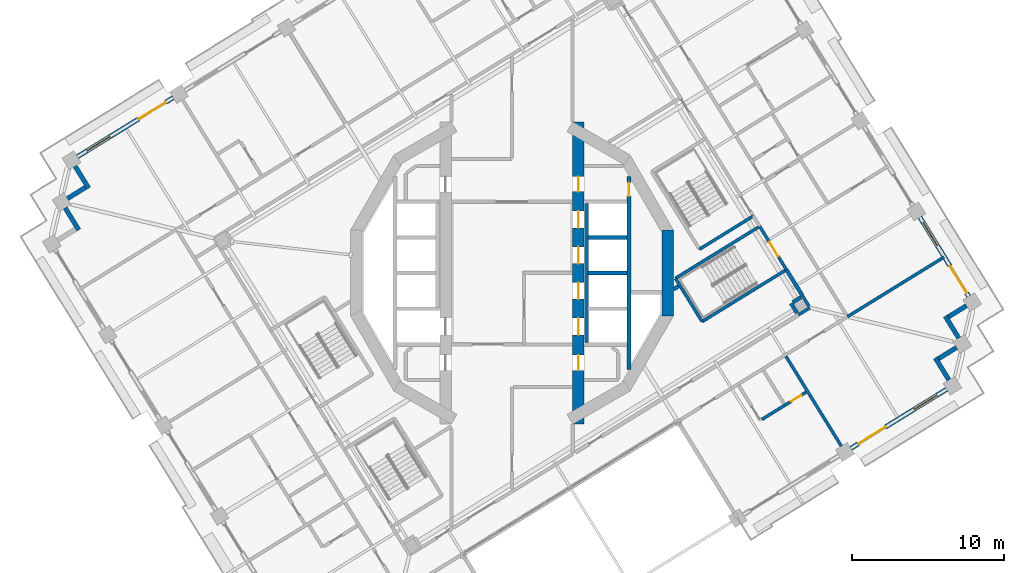
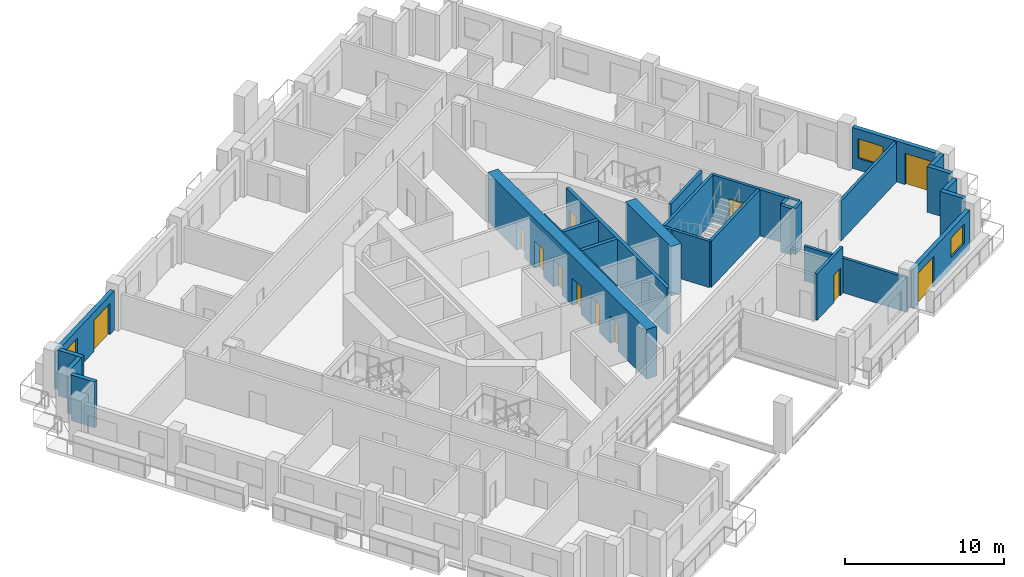
# One storey, part 11 of 22: 30 walls, 12 doors, 3 windows, 15 openings.
"""IFC4 building model written with IfcOpenShell, lengths in metres."""

import ifcopenshell
import ifcopenshell.guid

model = None  # the IFC model being written
_history = None  # IfcOwnerHistory: only IFC2X3 demands one
_inside = {}  # id of a spatial element -> (the spatial element, [elements in it])
_under = {}  # id of a project, library or spatial element -> (it, [spatial elements below it])
_declared = {}  # id of a project -> (the project, [libraries it declares])
_typed = {}  # id of a type object -> (the type object, [elements of that type])
_made_of = {}  # id of a material, layer set ... -> (it, [elements and type objects made of it])


def new_model(schema):
    """Start an empty IFC model of exactly this schema.

    Asked for "IFC4X3", IfcOpenShell would pick the latest addendum, in which some entities
    have other attributes; the version numbers below select the first issue.
    IFC2X3 requires an IfcOwnerHistory on every rooted entity: one is made here for all.
    """
    global model, _history
    if schema == "IFC4X3":
        model = ifcopenshell.file(schema_version=(4, 3, 0, 0))
    else:
        model = ifcopenshell.file(schema=schema)
    _inside.clear()
    _under.clear()
    _declared.clear()
    _typed.clear()
    _made_of.clear()
    _history = None
    if model.schema == "IFC2X3":
        org = make("IfcOrganization", Name="unknown")
        user = make(
            "IfcPersonAndOrganization",
            ThePerson=make("IfcPerson", FamilyName="unknown"),
            TheOrganization=org,
        )
        app = make(
            "IfcApplication",
            ApplicationDeveloper=org,
            Version="unknown",
            ApplicationFullName="unknown",
            ApplicationIdentifier="unknown",
        )
        _history = make(
            "IfcOwnerHistory",
            OwningUser=user,
            OwningApplication=app,
            ChangeAction="ADDED",
            CreationDate=0,
        )
    return model


def make(cls, **values):
    """One entity of the class cls with the attributes given. An attribute that is None is left unset."""
    return model.create_entity(
        cls, **{name: value for name, value in values.items() if value is not None}
    )


def rooted(cls, **values):
    """An entity with a GlobalId (a new one), such as an element, a storey or a relation."""
    return make(cls, GlobalId=ifcopenshell.guid.new(), OwnerHistory=_history, **values)


def si_unit(unit_type, name, prefix=None):
    """IfcSIUnit, for example si_unit("LENGTHUNIT", "METRE", prefix="MILLI")."""
    return make("IfcSIUnit", UnitType=unit_type, Prefix=prefix, Name=name)


def assignment(units):
    """IfcUnitAssignment: the units of a project."""
    return None if units is None else make("IfcUnitAssignment", Units=units)


def point(xyz):
    """IfcCartesianPoint."""
    return None if xyz is None else make("IfcCartesianPoint", Coordinates=xyz)


def direction(xyz):
    """IfcDirection."""
    return None if xyz is None else make("IfcDirection", DirectionRatios=xyz)


def frame(location, z_axis=None, x_axis=None):
    """IfcAxis2Placement3D, a coordinate frame: its origin and axes. An axis left out is left unset."""
    return make(
        "IfcAxis2Placement3D",
        Location=point(location),
        Axis=direction(z_axis),
        RefDirection=direction(x_axis),
    )


def frame_2d(location, x_axis=None):
    """IfcAxis2Placement2D, a coordinate frame in the plane: its origin and x axis."""
    return make(
        "IfcAxis2Placement2D", Location=point(location), RefDirection=direction(x_axis)
    )


def origin():
    """The frame at (0, 0, 0) with its axes left unset."""
    return frame((0.0, 0.0, 0.0))


def place(relative_to, where):
    """IfcLocalPlacement: puts the frame where relative to a parent placement (None: the world)."""
    return make(
        "IfcLocalPlacement", PlacementRelTo=relative_to, RelativePlacement=where
    )


def context(
    kind, dimensions, precision=None, world=None, true_north=None, identifier=None
):
    """IfcGeometricRepresentationContext, for example the 3D "Model" context."""
    return make(
        "IfcGeometricRepresentationContext",
        ContextIdentifier=identifier,
        ContextType=kind,
        CoordinateSpaceDimension=dimensions,
        Precision=precision,
        WorldCoordinateSystem=world,
        TrueNorth=true_north,
    )


def subcontext(parent, identifier, kind, view, scale=None):
    """IfcGeometricRepresentationSubContext, for example "Body" below "Model"."""
    return make(
        "IfcGeometricRepresentationSubContext",
        ContextIdentifier=identifier,
        ContextType=kind,
        ParentContext=parent,
        TargetScale=scale,
        TargetView=view,
    )


def project(units=None, contexts=None):
    """IfcProject with its units and contexts."""
    return rooted(
        "IfcProject",
        Name="project",
        RepresentationContexts=contexts,
        UnitsInContext=assignment(units),
    )


def spatial(cls, under=None, at=None, **own):
    """A site, building, storey or space (cls), placed at a placement, below another one or the project."""
    s = rooted(cls, ObjectPlacement=at, **own)
    if under is not None:
        _under.setdefault(under.id(), (under, []))[1].append(s)
    return s


def profile(cls, at=None, kind="AREA", **sizes):
    """A parametric profile (cls). Its sizes go by their IFC names, for example OverallWidth=200.0."""
    return make(cls, ProfileType=kind, Position=at, **sizes)


def rectangle(**sizes):
    """IfcRectangleProfileDef."""
    return profile("IfcRectangleProfileDef", **sizes)


def extrude(swept, where, along, depth):
    """IfcExtrudedAreaSolid: the profile swept, set in the frame where, extruded along a direction by depth."""
    return make(
        "IfcExtrudedAreaSolid",
        SweptArea=swept,
        Position=where,
        ExtrudedDirection=direction(along),
        Depth=depth,
    )


def shape(context_of_items, identifier, shape_type, items):
    """IfcShapeRepresentation: the items that make up one representation, for example the "Body"."""
    return make(
        "IfcShapeRepresentation",
        ContextOfItems=context_of_items,
        RepresentationIdentifier=identifier,
        RepresentationType=shape_type,
        Items=items,
    )


def material(Name=None, Category=None):
    """IfcMaterial."""
    return make("IfcMaterial", Name=Name, Category=Category)


def layer(
    of_material, thickness, ventilated=None, Name=None, Category=None, Priority=None
):
    """IfcMaterialLayer: one layer of a wall or slab, of a material (None: an air gap)."""
    return make(
        "IfcMaterialLayer",
        Material=of_material,
        LayerThickness=thickness,
        IsVentilated=ventilated,
        Name=Name,
        Category=Category,
        Priority=Priority,
    )


def layer_set(layers, Name=None):
    """IfcMaterialLayerSet."""
    return make("IfcMaterialLayerSet", MaterialLayers=layers, LayerSetName=Name)


def made_of(thing, what):
    """Note that an element or type object is made of a material, layer set ...; save() writes the relation."""
    if what is not None:
        _made_of.setdefault(what.id(), (what, []))[1].append(thing)
    return thing


def type_object(cls, material=None, **own):
    """A type object (cls), such as IfcWallType, which elements share."""
    return made_of(rooted(cls, **own), material)


def element(
    cls,
    number,
    at=None,
    inside=None,
    cuts=None,
    type_object=None,
    material=None,
    context=None,
    identifier="Body",
    shape_type=None,
    held_by="IfcProductDefinitionShape",
    body=None,
    shapes=None,
    **own,
):
    """One element of the class cls, such as IfcWall. Its Tag is "e" and its number.

    at: its placement. inside: the storey or other place that contains it. cuts: it is an
    opening in that element (IfcRelVoidsElement). A single representation is given by context,
    identifier, shape_type and body (its items); several are given by shapes. held_by: the class
    of the entity that holds the representations. save() writes the other relations.
    """
    e = rooted(cls, Tag="e%d" % number, ObjectPlacement=at, **own)
    if body is not None:
        shapes = [shape(context, identifier, shape_type, body)]
    if shapes is not None:
        e.Representation = make(held_by, Representations=shapes)
    if inside is not None:
        _inside.setdefault(inside.id(), (inside, []))[1].append(e)
    if cuts is not None:
        rooted(
            "IfcRelVoidsElement", RelatingBuildingElement=cuts, RelatedOpeningElement=e
        )
    if type_object is not None:
        _typed.setdefault(type_object.id(), (type_object, []))[1].append(e)
    return made_of(e, material)


def fill(opening, filler):
    """IfcRelFillsElement: the door or window that sits in an opening."""
    return rooted(
        "IfcRelFillsElement",
        RelatingOpeningElement=opening,
        RelatedBuildingElement=filler,
    )


def aggregate(whole, parts):
    """IfcRelAggregates: a whole, such as a stair, and the parts it consists of."""
    return rooted("IfcRelAggregates", RelatingObject=whole, RelatedObjects=parts)


def save(model, path):
    """Write the relations noted so far, then the file.

    IfcRelAggregates (storeys below a building ...), IfcRelContainedInSpatialStructure (elements
    in a storey), IfcRelDefinesByType, IfcRelAssociatesMaterial and IfcRelDeclares: one each for
    every whole, place, type object, material and project.
    """
    for whole, parts in _under.values():
        aggregate(whole, parts)
    for where, things in _inside.values():
        rooted(
            "IfcRelContainedInSpatialStructure",
            RelatedElements=things,
            RelatingStructure=where,
        )
    for kind, things in _typed.values():
        rooted("IfcRelDefinesByType", RelatedObjects=things, RelatingType=kind)
    for what, things in _made_of.values():
        rooted("IfcRelAssociatesMaterial", RelatedObjects=things, RelatingMaterial=what)
    for by, libraries in _declared.values():
        rooted("IfcRelDeclares", RelatingContext=by, RelatedDefinitions=libraries)
    model.write(path)


model = new_model("IFC4")

# Units and contexts
model_context = context("Model", 3, precision=1e-05, world=origin(), true_north=direction((0.0, 1.0)))
body_context = subcontext(model_context, "Body", "Model", "MODEL_VIEW")
ifc_project = project(units=[si_unit("LENGTHUNIT", "METRE"), si_unit("AREAUNIT", "SQUARE_METRE"), si_unit("VOLUMEUNIT", "CUBIC_METRE"), si_unit("PLANEANGLEUNIT", "RADIAN"), si_unit("MASSUNIT", "GRAM", prefix="KILO")], contexts=[model_context])

# Site, building, storey
site_placement = place(None, origin())
site = spatial("IfcSite", under=ifc_project, at=site_placement, CompositionType="ELEMENT")
building_placement = place(site_placement, origin())
building = spatial("IfcBuilding", under=site, at=building_placement, Name="Cantera Rosa Tower", CompositionType="ELEMENT")
storey_placement = place(building_placement, frame((0.0, 0.0, 174.199951171875)))
storey = spatial("IfcBuildingStorey", under=building, at=storey_placement, Name="L38", CompositionType="ELEMENT", Elevation=174.199951171875)

# Walls
ifc_material_1 = material(Name="Gypsum board partition")
ifc_layer_1 = layer(ifc_material_1, 0.199951171875)
ifc_layer_set_1 = layer_set([ifc_layer_1], Name="CORRIDOR WALL 200 H3550")
wall_type_1 = type_object("IfcWallType", Name="CORRIDOR WALL 200 H3550", PredefinedType="PARTITIONING", material=ifc_layer_set_1)
wall_1_placement = place(storey_placement, frame((18.874267578125, -2.7509765625, 0.0), z_axis=(0.0, 0.0, 1.0), x_axis=(0.851162606387, 0.524902102766, 0.0)))
element("IfcWall", 1, at=wall_1_placement, inside=storey, type_object=wall_type_1, Name="CORRIDOR WALL L38-124", PredefinedType="PARTITIONING", context=body_context, shape_type="SweptSolid", body=[
    extrude(rectangle(XDim=0.8798828125, YDim=0.199951171875, at=frame_2d((0.43994140625, 0.0))), origin(), (0.0, 0.0, 1.0), 3.550048828125),
])
wall_2_placement = place(storey_placement, frame((19.560302734375, -2.18701171875, 0.0), z_axis=(0.0, 0.0, 1.0), x_axis=(-0.524849917314, 0.851194786342, 0.0)))
element("IfcWall", 2, at=wall_2_placement, inside=storey, type_object=wall_type_1, Name="CORRIDOR WALL L38-129", PredefinedType="PARTITIONING", context=body_context, shape_type="SweptSolid", body=[
    extrude(rectangle(XDim=0.760009765625, YDim=0.199951171875, at=frame_2d((0.3798828125, 0.0))), origin(), (0.0, 0.0, 1.0), 3.550048828125),
])
ifc_material_2 = material(Name="Hollow clay masonry with cantera stone cladding", Category="masonry")
ifc_layer_2 = layer(ifc_material_2, 0.300048828125)
ifc_layer_set_2 = layer_set([ifc_layer_2], Name="EW-LOGGIA 300")
wall_type_2 = type_object("IfcWallType", Name="EW-LOGGIA 300", PredefinedType="SOLIDWALL", material=ifc_layer_set_2)
wall_3_placement = place(storey_placement, frame((-28.7802734375, 7.0390625, 0.0), z_axis=(0.0, 0.0, 1.0), x_axis=(0.524994468487, -0.851105638601, 0.0)))
element("IfcWall", 3, at=wall_3_placement, inside=storey, type_object=wall_type_2, Name="EN-L38-W13a", PredefinedType="SOLIDWALL", context=body_context, shape_type="SweptSolid", body=[
    extrude(rectangle(XDim=1.7001953125, YDim=0.300048828125, at=frame_2d((0.85009765625, 0.0))), origin(), (0.0, 0.0, 1.0), 3.5),
])
wall_4_placement = place(storey_placement, frame((-28.09423828125, 5.64111328125, 0.0), z_axis=(0.0, 0.0, 1.0), x_axis=(-0.851040987269, -0.525099264891, 0.0)))
element("IfcWall", 4, at=wall_4_placement, inside=storey, type_object=wall_type_2, Name="EN-L38-W13b", PredefinedType="SOLIDWALL", context=body_context, shape_type="SweptSolid", body=[
    extrude(rectangle(XDim=1.39990234375, YDim=0.300048828125, at=frame_2d((0.699951171875, 0.0))), origin(), (0.0, 0.0, 1.0), 3.5),
])
for number, where, z_axis, x_axis, name in (
    (5, (-29.4326171875, 4.286865234375, 0.0), (0.0, 0.0, 1.0), (0.524994468487, -0.851105638601, 0.0), "EN-L38-W14a"),
    (6, (28.7802734375, -7.0390625, 0.0), (0.0, 0.0, 1.0), (-0.524994468487, 0.851105638601, 0.0), "EN-L38-W27a"),
):
    element("IfcWall", number, at=place(storey_placement, frame(where, z_axis=z_axis, x_axis=x_axis)), inside=storey, type_object=wall_type_2, Name=name, PredefinedType="SOLIDWALL", context=body_context, shape_type="SweptSolid", body=[
        extrude(rectangle(XDim=1.7001953125, YDim=0.300048828125, at=frame_2d((0.85009765625, 0.0))), origin(), (0.0, 0.0, 1.0), 3.5),
    ])
wall_5_placement = place(storey_placement, frame((28.09423828125, -5.64111328125, 0.0), z_axis=(0.0, 0.0, 1.0), x_axis=(0.851040987269, 0.525099264891, 0.0)))
element("IfcWall", 7, at=wall_5_placement, inside=storey, type_object=wall_type_2, Name="EN-L38-W27b", PredefinedType="SOLIDWALL", context=body_context, shape_type="SweptSolid", body=[
    extrude(rectangle(XDim=1.39990234375, YDim=0.300048828125, at=frame_2d((0.699951171875, 0.0))), origin(), (0.0, 0.0, 1.0), 3.5),
])
wall_6_placement = place(storey_placement, frame((29.4326171875, -4.286865234375, 0.0), z_axis=(0.0, 0.0, 1.0), x_axis=(-0.524994468487, 0.851105638601, 0.0)))
element("IfcWall", 8, at=wall_6_placement, inside=storey, type_object=wall_type_2, Name="EN-L38-W28a", PredefinedType="SOLIDWALL", context=body_context, shape_type="SweptSolid", body=[
    extrude(rectangle(XDim=1.7001953125, YDim=0.300048828125, at=frame_2d((0.85009765625, 0.0))), origin(), (0.0, 0.0, 1.0), 3.5),
])
wall_7_placement = place(storey_placement, frame((28.74658203125, -2.888916015625, 0.0), z_axis=(0.0, 0.0, 1.0), x_axis=(0.851040987269, 0.525099264891, 0.0)))
element("IfcWall", 9, at=wall_7_placement, inside=storey, type_object=wall_type_2, Name="EN-L38-W28b", PredefinedType="SOLIDWALL", context=body_context, shape_type="SweptSolid", body=[
    extrude(rectangle(XDim=1.39990234375, YDim=0.300048828125, at=frame_2d((0.699951171875, 0.0))), origin(), (0.0, 0.0, 1.0), 3.5),
])

# Wall, openings, window, door
ifc_material_3 = material(Name="Hollow clay masonry with cantera stone cladding", Category="masonry")
ifc_layer_3 = layer(ifc_material_3, 0.300048828125)
ifc_layer_set_3 = layer_set([ifc_layer_3], Name="EW-LOGGIA 300 H3020")
wall_type_3 = type_object("IfcWallType", Name="EW-LOGGIA 300 H3020", PredefinedType="SOLIDWALL", material=ifc_layer_set_3)
wall_8_placement = place(storey_placement, frame((-22.318115234375, 11.5537109375, 0.0), z_axis=(0.0, 0.0, 1.0), x_axis=(-0.851111085575, -0.524985637909, 0.0)))
wall_8 = element("IfcWall", 10, at=wall_8_placement, inside=storey, type_object=wall_type_3, Name="EN-L38-W12", PredefinedType="SOLIDWALL", context=body_context, shape_type="SweptSolid", body=[
    extrude(rectangle(XDim=7.420166015625, YDim=0.300048828125, at=frame_2d((3.7099609375, 0.0))), origin(), (0.0, 0.0, 1.0), 3.02001953125),
])
opening_1_placement = place(wall_8_placement, frame((0.580078125, 0.0, 0.0)))
opening_1 = element("IfcOpeningElement", 11, at=opening_1_placement, cuts=wall_8, Name="Opening L38-TD19", PredefinedType="OPENING", context=body_context, shape_type="SweptSolid", body=[
    extrude(rectangle(XDim=2.10009765625, YDim=2.39990234375, at=frame_2d((1.050048828125, 1.199951171875))), frame((0.0, 0.159912109375, 0.0), z_axis=(0.0, -1.0, 0.0), x_axis=(1.0, 0.0, 0.0)), (0.0, 0.0, 1.0), 0.320068359375),
])
opening_2_placement = place(wall_8_placement, frame((4.889892578125, 0.0, 0.89990234375)))
opening_2 = element("IfcOpeningElement", 12, at=opening_2_placement, cuts=wall_8, Name="Opening L38-W20", PredefinedType="OPENING", context=body_context, shape_type="SweptSolid", body=[
    extrude(rectangle(XDim=1.800048828125, YDim=1.5, at=frame_2d((0.89990234375, 0.75))), frame((0.0, 0.159912109375, 0.0), z_axis=(0.0, -1.0, 0.0), x_axis=(1.0, 0.0, 0.0)), (0.0, 0.0, 1.0), 0.320068359375),
])
ifc_material_4 = material(Name="Aluminium frame with clear glass", Category="aluminium")
window_type = type_object("IfcWindowType", Name="Hotel room window 1800x1500", PartitioningType="DOUBLE_PANEL_VERTICAL", PredefinedType="WINDOW", material=ifc_material_4)
window_1_placement = place(opening_2_placement, origin())
window_1 = element("IfcWindow", 13, at=window_1_placement, inside=storey, type_object=window_type, Name="WINDOW L38-W20", OverallHeight=1.5, OverallWidth=1.800048828125, PartitioningType="SINGLE_PANEL", PredefinedType="WINDOW", context=body_context, shape_type="SweptSolid", body=[
    extrude(rectangle(XDim=1.800048828125, YDim=1.5, at=frame_2d((0.89990234375, 0.75))), frame((0.0, 0.030029296875, 0.0), z_axis=(0.0, -1.0, 0.0), x_axis=(1.0, 0.0, 0.0)), (0.0, 0.0, 1.0), 0.06005859375),
])
fill(opening_2, window_1)
ifc_material_5 = material(Name="Aluminium frame with clear glass", Category="aluminium")
door_type_1 = type_object("IfcDoorType", Name="TD-H 2100x2400", OperationType="NOTDEFINED", PredefinedType="DOOR", material=ifc_material_5)
door_1_placement = place(opening_1_placement, origin())
door_1 = element("IfcDoor", 14, at=door_1_placement, inside=storey, type_object=door_type_1, Name="LOGGIA DOOR L38-TD19", OperationType="SLIDING_TO_LEFT", OverallHeight=2.39990234375, OverallWidth=2.10009765625, PredefinedType="DOOR", context=body_context, shape_type="SweptSolid", body=[
    extrude(rectangle(XDim=2.10009765625, YDim=2.39990234375, at=frame_2d((1.050048828125, 1.199951171875))), frame((0.0, 0.02490234375, 0.0), z_axis=(0.0, -1.0, 0.0), x_axis=(1.0, 0.0, 0.0)), (0.0, 0.0, 1.0), 0.050048828125),
])
fill(opening_1, door_1)

wall_9_placement = place(storey_placement, frame((22.318115234375, -11.5537109375, 0.0), z_axis=(0.0, 0.0, 1.0), x_axis=(0.851111085575, 0.524985637909, 0.0)))
wall_9 = element("IfcWall", 15, at=wall_9_placement, inside=storey, type_object=wall_type_3, Name="EN-L38-W26", PredefinedType="SOLIDWALL", context=body_context, shape_type="SweptSolid", body=[
    extrude(rectangle(XDim=7.420166015625, YDim=0.300048828125, at=frame_2d((3.7099609375, 0.0))), origin(), (0.0, 0.0, 1.0), 3.02001953125),
])
opening_3_placement = place(wall_9_placement, frame((0.580078125, 0.0, 0.0)))
opening_3 = element("IfcOpeningElement", 16, at=opening_3_placement, cuts=wall_9, Name="Opening L38-TD35", PredefinedType="OPENING", context=body_context, shape_type="SweptSolid", body=[
    extrude(rectangle(XDim=2.10009765625, YDim=2.39990234375, at=frame_2d((1.050048828125, 1.199951171875))), frame((0.0, 0.159912109375, 0.0), z_axis=(0.0, -1.0, 0.0), x_axis=(1.0, 0.0, 0.0)), (0.0, 0.0, 1.0), 0.320068359375),
])
opening_4_placement = place(wall_9_placement, frame((4.889892578125, 0.0, 0.89990234375)))
opening_4 = element("IfcOpeningElement", 17, at=opening_4_placement, cuts=wall_9, Name="Opening L38-W36", PredefinedType="OPENING", context=body_context, shape_type="SweptSolid", body=[
    extrude(rectangle(XDim=1.800048828125, YDim=1.5, at=frame_2d((0.89990234375, 0.75))), frame((0.0, 0.159912109375, 0.0), z_axis=(0.0, -1.0, 0.0), x_axis=(1.0, 0.0, 0.0)), (0.0, 0.0, 1.0), 0.320068359375),
])
window_2_placement = place(opening_4_placement, origin())
window_2 = element("IfcWindow", 18, at=window_2_placement, inside=storey, type_object=window_type, Name="WINDOW L38-W36", OverallHeight=1.5, OverallWidth=1.800048828125, PartitioningType="SINGLE_PANEL", PredefinedType="WINDOW", context=body_context, shape_type="SweptSolid", body=[
    extrude(rectangle(XDim=1.800048828125, YDim=1.5, at=frame_2d((0.89990234375, 0.75))), frame((0.0, 0.030029296875, 0.0), z_axis=(0.0, -1.0, 0.0), x_axis=(1.0, 0.0, 0.0)), (0.0, 0.0, 1.0), 0.06005859375),
])
fill(opening_4, window_2)
door_2_placement = place(opening_3_placement, origin())
door_2 = element("IfcDoor", 19, at=door_2_placement, inside=storey, type_object=door_type_1, Name="LOGGIA DOOR L38-TD35", OperationType="SLIDING_TO_LEFT", OverallHeight=2.39990234375, OverallWidth=2.10009765625, PredefinedType="DOOR", context=body_context, shape_type="SweptSolid", body=[
    extrude(rectangle(XDim=2.10009765625, YDim=2.39990234375, at=frame_2d((1.050048828125, 1.199951171875))), frame((0.0, 0.02490234375, 0.0), z_axis=(0.0, -1.0, 0.0), x_axis=(1.0, 0.0, 0.0)), (0.0, 0.0, 1.0), 0.050048828125),
])
fill(opening_3, door_2)

ifc_material_6 = material(Name="Hollow clay masonry with cantera stone cladding", Category="masonry")
ifc_layer_4 = layer(ifc_material_6, 0.300048828125)
ifc_layer_set_4 = layer_set([ifc_layer_4], Name="EW-LOGGIA 300 H3140")
wall_type_4 = type_object("IfcWallType", Name="EW-LOGGIA 300 H3140", PredefinedType="SOLIDWALL", material=ifc_layer_set_4)
wall_10_placement = place(storey_placement, frame((30.084716796875, -1.53466796875, 0.0), z_axis=(0.0, 0.0, 1.0), x_axis=(-0.524987447654, 0.851109969279, 0.0)))
wall_10 = element("IfcWall", 20, at=wall_10_placement, inside=storey, type_object=wall_type_4, Name="EN-L38-W01", PredefinedType="SOLIDWALL", context=body_context, shape_type="SweptSolid", body=[
    extrude(rectangle(XDim=6.119873046875, YDim=0.300048828125, at=frame_2d((3.06005859375, 0.0))), origin(), (0.0, 0.0, 1.0), 3.14013671875),
])
opening_5_placement = place(wall_10_placement, frame((0.2548828125, 0.0, 0.0)))
opening_5 = element("IfcOpeningElement", 21, at=opening_5_placement, cuts=wall_10, Name="Opening L38-TD01", PredefinedType="OPENING", context=body_context, shape_type="SweptSolid", body=[
    extrude(rectangle(XDim=2.10009765625, YDim=2.39990234375, at=frame_2d((1.050048828125, 1.199951171875))), frame((0.0, 0.159912109375, 0.0), z_axis=(0.0, -1.0, 0.0), x_axis=(1.0, 0.0, 0.0)), (0.0, 0.0, 1.0), 0.320068359375),
])
opening_6_placement = place(wall_10_placement, frame((3.9150390625, 0.0, 0.89990234375)))
opening_6 = element("IfcOpeningElement", 22, at=opening_6_placement, cuts=wall_10, Name="Opening L38-W02", PredefinedType="OPENING", context=body_context, shape_type="SweptSolid", body=[
    extrude(rectangle(XDim=1.800048828125, YDim=1.5, at=frame_2d((0.89990234375, 0.75))), frame((0.0, 0.159912109375, 0.0), z_axis=(0.0, -1.0, 0.0), x_axis=(1.0, 0.0, 0.0)), (0.0, 0.0, 1.0), 0.320068359375),
])
window_3_placement = place(opening_6_placement, origin())
window_3 = element("IfcWindow", 23, at=window_3_placement, inside=storey, type_object=window_type, Name="WINDOW L38-W02", OverallHeight=1.5, OverallWidth=1.800048828125, PartitioningType="SINGLE_PANEL", PredefinedType="WINDOW", context=body_context, shape_type="SweptSolid", body=[
    extrude(rectangle(XDim=1.800048828125, YDim=1.5, at=frame_2d((0.89990234375, 0.75))), frame((0.0, 0.030029296875, 0.0), z_axis=(0.0, -1.0, 0.0), x_axis=(1.0, 0.0, 0.0)), (0.0, 0.0, 1.0), 0.06005859375),
])
fill(opening_6, window_3)
door_3_placement = place(opening_5_placement, origin())
door_3 = element("IfcDoor", 24, at=door_3_placement, inside=storey, type_object=door_type_1, Name="LOGGIA DOOR L38-TD01", OperationType="SLIDING_TO_LEFT", OverallHeight=2.39990234375, OverallWidth=2.10009765625, PredefinedType="DOOR", context=body_context, shape_type="SweptSolid", body=[
    extrude(rectangle(XDim=2.10009765625, YDim=2.39990234375, at=frame_2d((1.050048828125, 1.199951171875))), frame((0.0, 0.02490234375, 0.0), z_axis=(0.0, -1.0, 0.0), x_axis=(1.0, 0.0, 0.0)), (0.0, 0.0, 1.0), 0.050048828125),
])
fill(opening_5, door_3)

# Wall, opening, door
ifc_material_7 = material(Name="Gypsum board partition")
ifc_layer_5 = layer(ifc_material_7, 0.199951171875)
ifc_layer_set_5 = layer_set([ifc_layer_5], Name="PARTITION 200 H3550")
wall_type_5 = type_object("IfcWallType", Name="PARTITION 200 H3550", PredefinedType="PARTITIONING", material=ifc_layer_set_5)
wall_11_placement = place(storey_placement, frame((19.36572265625, -7.8525390625, 0.0), z_axis=(0.0, 0.0, 1.0), x_axis=(-0.851104758838, -0.524995894731, 0.0)))
wall_11 = element("IfcWall", 25, at=wall_11_placement, inside=storey, type_object=wall_type_5, Name="PARTITION L38-128", PredefinedType="PARTITIONING", context=body_context, shape_type="SweptSolid", body=[
    extrude(rectangle(XDim=3.41015625, YDim=0.199951171875, at=frame_2d((1.705078125, 0.0))), origin(), (0.0, 0.0, 1.0), 3.550048828125),
])
opening_7_placement = place(wall_11_placement, frame((0.35498046875, 0.0, 0.0)))
opening_7 = element("IfcOpeningElement", 26, at=opening_7_placement, cuts=wall_11, Name="Opening L38-050", PredefinedType="OPENING", context=body_context, shape_type="SweptSolid", body=[
    extrude(rectangle(XDim=0.800048828125, YDim=2.10009765625, at=frame_2d((0.39990234375, 1.050048828125))), frame((0.0, 0.10986328125, 0.0), z_axis=(0.0, -1.0, 0.0), x_axis=(1.0, 0.0, 0.0)), (0.0, 0.0, 1.0), 0.219970703125),
])
ifc_material_8 = material(Name="Timber door leaf", Category="wood")
door_type_2 = type_object("IfcDoorType", Name="BATHROOM DOOR 800x2100", OperationType="NOTDEFINED", PredefinedType="DOOR", material=ifc_material_8)
door_4_placement = place(opening_7_placement, origin())
door_4 = element("IfcDoor", 27, at=door_4_placement, inside=storey, type_object=door_type_2, Name="DOOR L38-050", OperationType="NOTDEFINED", OverallHeight=2.10009765625, OverallWidth=0.800048828125, PredefinedType="DOOR", context=body_context, shape_type="SweptSolid", body=[
    extrude(rectangle(XDim=0.800048828125, YDim=2.10009765625, at=frame_2d((0.39990234375, 1.050048828125))), frame((0.0, 0.02490234375, 0.0), z_axis=(0.0, -1.0, 0.0), x_axis=(1.0, 0.0, 0.0)), (0.0, 0.0, 1.0), 0.050048828125),
])
fill(opening_7, door_4)

# Walls
ifc_material_9 = material(Name="Gypsum board partition")
ifc_layer_6 = layer(ifc_material_9, 0.199951171875)
ifc_layer_set_6 = layer_set([ifc_layer_6], Name="PARTY WALL 200 H2650")
wall_type_6 = type_object("IfcWallType", Name="PARTY WALL 200 H2650", PredefinedType="PARTITIONING", material=ifc_layer_set_6)
wall_12_placement = place(storey_placement, frame((18.05029296875, -5.49169921875, 0.0), z_axis=(0.0, 0.0, 1.0), x_axis=(0.52498429839, -0.851111911821, 0.0)))
element("IfcWall", 28, at=wall_12_placement, inside=storey, type_object=wall_type_6, Name="PARTY WALL L38-120", PredefinedType="PARTITIONING", context=body_context, shape_type="SweptSolid", body=[
    extrude(rectangle(XDim=7.3701171875, YDim=0.199951171875, at=frame_2d((3.68505859375, 0.0))), origin(), (0.0, 0.0, 1.0), 2.650146484375),
])
ifc_material_10 = material(Name="Gypsum board partition")
ifc_layer_7 = layer(ifc_material_10, 0.199951171875)
ifc_layer_set_7 = layer_set([ifc_layer_7], Name="PARTY WALL 200 H3050")
wall_type_7 = type_object("IfcWallType", Name="PARTY WALL 200 H3050", PredefinedType="PARTITIONING", material=ifc_layer_set_7)
wall_13_placement = place(storey_placement, frame((28.4580078125, 1.04541015625, 0.0), z_axis=(0.0, 0.0, 1.0), x_axis=(-0.85111586596, -0.524977887831, 0.0)))
element("IfcWall", 29, at=wall_13_placement, inside=storey, type_object=wall_type_7, Name="PARTY WALL L38-133", PredefinedType="PARTITIONING", context=body_context, shape_type="SweptSolid", body=[
    extrude(rectangle(XDim=7.469970703125, YDim=0.199951171875, at=frame_2d((3.73486328125, 0.0))), origin(), (0.0, 0.0, 1.0), 3.050048828125),
])
ifc_material_11 = material(Name="Concrete C60/75", Category="concrete")
ifc_layer_8 = layer(ifc_material_11, 0.75)
ifc_layer_set_8 = layer_set([ifc_layer_8], Name="RC CORE WALL 750 C60/75")
wall_type_8 = type_object("IfcWallType", Name="RC CORE WALL 750 C60/75", PredefinedType="SHEAR", material=ifc_layer_set_8)
wall_14_placement = place(storey_placement, frame((10.250244140625, 2.846923828125, 0.0), z_axis=(0.0, 0.0, 1.0), x_axis=(0.0, -1.0, 0.0)))
element("IfcWall", 30, at=wall_14_placement, inside=storey, type_object=wall_type_8, Name="CW-E3 L38", PredefinedType="SHEAR", context=body_context, shape_type="SweptSolid", body=[
    extrude(rectangle(XDim=5.69384765625, YDim=0.75, at=frame_2d((2.846923828125, 0.0))), origin(), (0.0, 0.0, 1.0), 3.800048828125),
])

# Wall, openings, doors
wall_15_placement = place(storey_placement, frame((4.375, -9.95947265625, 0.0), z_axis=(0.0, 0.0, 1.0), x_axis=(0.0, 1.0, 0.0)))
wall_15 = element("IfcWall", 31, at=wall_15_placement, inside=storey, type_object=wall_type_8, Name="CW-E6 L38", PredefinedType="SHEAR", context=body_context, shape_type="SweptSolid", body=[
    extrude(rectangle(XDim=19.9189453125, YDim=0.75, at=frame_2d((9.95947265625, 0.0))), origin(), (0.0, 0.0, 1.0), 3.800048828125),
])
opening_8_placement = place(wall_15_placement, frame((5.884521484375, 0.0, 0.0)))
opening_8 = element("IfcOpeningElement", 32, at=opening_8_placement, cuts=wall_15, Name="Opening LD-FF1-L38", PredefinedType="OPENING", context=body_context, shape_type="SweptSolid", body=[
    extrude(rectangle(XDim=1.10009765625, YDim=2.10009765625, at=frame_2d((0.550048828125, 1.050048828125))), frame((0.0, 0.385009765625, 0.0), z_axis=(0.0, -1.0, 0.0), x_axis=(1.0, 0.0, 0.0)), (0.0, 0.0, 1.0), 0.77001953125),
])
opening_9_placement = place(wall_15_placement, frame((8.234619140625, 0.0, 0.0)))
opening_9 = element("IfcOpeningElement", 33, at=opening_9_placement, cuts=wall_15, Name="Opening LD-FF2-L38", PredefinedType="OPENING", context=body_context, shape_type="SweptSolid", body=[
    extrude(rectangle(XDim=1.10009765625, YDim=2.10009765625, at=frame_2d((0.550048828125, 1.050048828125))), frame((0.0, 0.385009765625, 0.0), z_axis=(0.0, -1.0, 0.0), x_axis=(1.0, 0.0, 0.0)), (0.0, 0.0, 1.0), 0.77001953125),
])
opening_10_placement = place(wall_15_placement, frame((10.58447265625, 0.0, 0.0)))
opening_10 = element("IfcOpeningElement", 34, at=opening_10_placement, cuts=wall_15, Name="Opening LD-P1-L38", PredefinedType="OPENING", context=body_context, shape_type="SweptSolid", body=[
    extrude(rectangle(XDim=1.10009765625, YDim=2.10009765625, at=frame_2d((0.550048828125, 1.050048828125))), frame((0.0, 0.385009765625, 0.0), z_axis=(0.0, -1.0, 0.0), x_axis=(1.0, 0.0, 0.0)), (0.0, 0.0, 1.0), 0.77001953125),
])
opening_11_placement = place(wall_15_placement, frame((12.9345703125, 0.0, 0.0)))
opening_11 = element("IfcOpeningElement", 35, at=opening_11_placement, cuts=wall_15, Name="Opening LD-P2-L38", PredefinedType="OPENING", context=body_context, shape_type="SweptSolid", body=[
    extrude(rectangle(XDim=1.10009765625, YDim=2.10009765625, at=frame_2d((0.550048828125, 1.050048828125))), frame((0.0, 0.385009765625, 0.0), z_axis=(0.0, -1.0, 0.0), x_axis=(1.0, 0.0, 0.0)), (0.0, 0.0, 1.0), 0.77001953125),
])
opening_12_placement = place(wall_15_placement, frame((3.55078125, 0.0, 0.0)))
opening_12 = element("IfcOpeningElement", 36, at=opening_12_placement, cuts=wall_15, Name="Opening SD-L38-20", PredefinedType="OPENING", context=body_context, shape_type="SweptSolid", body=[
    extrude(rectangle(XDim=1.0, YDim=2.10009765625, at=frame_2d((0.5, 1.050048828125))), frame((0.0, 0.385009765625, 0.0), z_axis=(0.0, -1.0, 0.0), x_axis=(1.0, 0.0, 0.0)), (0.0, 0.0, 1.0), 0.77001953125),
])
opening_13_placement = place(wall_15_placement, frame((15.318115234375, 0.0, 0.0)))
opening_13 = element("IfcOpeningElement", 37, at=opening_13_placement, cuts=wall_15, Name="Opening SD-L38-21", PredefinedType="OPENING", context=body_context, shape_type="SweptSolid", body=[
    extrude(rectangle(XDim=1.0, YDim=2.10009765625, at=frame_2d((0.5, 1.050048828125))), frame((0.0, 0.385009765625, 0.0), z_axis=(0.0, -1.0, 0.0), x_axis=(1.0, 0.0, 0.0)), (0.0, 0.0, 1.0), 0.77001953125),
])
ifc_material_12 = material(Name="Steel S355J2 (EN 10025-2)", Category="steel")
door_type_3 = type_object("IfcDoorType", Name="LANDING DOOR 1100x2100", OperationType="NOTDEFINED", PredefinedType="DOOR", material=ifc_material_12)
door_5_placement = place(opening_8_placement, origin())
door_5 = element("IfcDoor", 38, at=door_5_placement, inside=storey, type_object=door_type_3, Name="LANDING DOOR FF1 L38", OperationType="SLIDING_TO_LEFT", OverallHeight=2.10009765625, OverallWidth=1.10009765625, PredefinedType="DOOR", context=body_context, shape_type="SweptSolid", body=[
    extrude(rectangle(XDim=1.10009765625, YDim=2.10009765625, at=frame_2d((0.550048828125, 1.050048828125))), frame((0.0, 0.02490234375, 0.0), z_axis=(0.0, -1.0, 0.0), x_axis=(1.0, 0.0, 0.0)), (0.0, 0.0, 1.0), 0.050048828125),
])
fill(opening_8, door_5)
door_6_placement = place(opening_9_placement, origin())
door_6 = element("IfcDoor", 39, at=door_6_placement, inside=storey, type_object=door_type_3, Name="LANDING DOOR FF2 L38", OperationType="SLIDING_TO_LEFT", OverallHeight=2.10009765625, OverallWidth=1.10009765625, PredefinedType="DOOR", context=body_context, shape_type="SweptSolid", body=[
    extrude(rectangle(XDim=1.10009765625, YDim=2.10009765625, at=frame_2d((0.550048828125, 1.050048828125))), frame((0.0, 0.02490234375, 0.0), z_axis=(0.0, -1.0, 0.0), x_axis=(1.0, 0.0, 0.0)), (0.0, 0.0, 1.0), 0.050048828125),
])
fill(opening_9, door_6)
door_7_placement = place(opening_10_placement, origin())
door_7 = element("IfcDoor", 40, at=door_7_placement, inside=storey, type_object=door_type_3, Name="LANDING DOOR P1 L38", OperationType="SLIDING_TO_LEFT", OverallHeight=2.10009765625, OverallWidth=1.10009765625, PredefinedType="DOOR", context=body_context, shape_type="SweptSolid", body=[
    extrude(rectangle(XDim=1.10009765625, YDim=2.10009765625, at=frame_2d((0.550048828125, 1.050048828125))), frame((0.0, 0.02490234375, 0.0), z_axis=(0.0, -1.0, 0.0), x_axis=(1.0, 0.0, 0.0)), (0.0, 0.0, 1.0), 0.050048828125),
])
fill(opening_10, door_7)
door_8_placement = place(opening_11_placement, origin())
door_8 = element("IfcDoor", 41, at=door_8_placement, inside=storey, type_object=door_type_3, Name="LANDING DOOR P2 L38", OperationType="SLIDING_TO_LEFT", OverallHeight=2.10009765625, OverallWidth=1.10009765625, PredefinedType="DOOR", context=body_context, shape_type="SweptSolid", body=[
    extrude(rectangle(XDim=1.10009765625, YDim=2.10009765625, at=frame_2d((0.550048828125, 1.050048828125))), frame((0.0, 0.02490234375, 0.0), z_axis=(0.0, -1.0, 0.0), x_axis=(1.0, 0.0, 0.0)), (0.0, 0.0, 1.0), 0.050048828125),
])
fill(opening_11, door_8)
ifc_material_13 = material(Name="Timber door leaf", Category="wood")
door_type_4 = type_object("IfcDoorType", Name="SERVICE DOOR 1000x2100", OperationType="NOTDEFINED", PredefinedType="DOOR", material=ifc_material_13)
door_9_placement = place(opening_12_placement, origin())
door_9 = element("IfcDoor", 42, at=door_9_placement, inside=storey, type_object=door_type_4, Name="DOOR L38-SD20", OperationType="NOTDEFINED", OverallHeight=2.10009765625, OverallWidth=1.0, PredefinedType="DOOR", context=body_context, shape_type="SweptSolid", body=[
    extrude(rectangle(XDim=1.0, YDim=2.10009765625, at=frame_2d((0.5, 1.050048828125))), frame((0.0, 0.02490234375, 0.0), z_axis=(0.0, -1.0, 0.0), x_axis=(1.0, 0.0, 0.0)), (0.0, 0.0, 1.0), 0.050048828125),
])
fill(opening_12, door_9)
door_10_placement = place(opening_13_placement, origin())
door_10 = element("IfcDoor", 43, at=door_10_placement, inside=storey, type_object=door_type_4, Name="DOOR L38-SD21", OperationType="NOTDEFINED", OverallHeight=2.10009765625, OverallWidth=1.0, PredefinedType="DOOR", context=body_context, shape_type="SweptSolid", body=[
    extrude(rectangle(XDim=1.0, YDim=2.10009765625, at=frame_2d((0.5, 1.050048828125))), frame((0.0, 0.02490234375, 0.0), z_axis=(0.0, -1.0, 0.0), x_axis=(1.0, 0.0, 0.0)), (0.0, 0.0, 1.0), 0.050048828125),
])
fill(opening_13, door_10)

# Walls
ifc_material_14 = material(Name="Masonry blockwork", Category="masonry")
ifc_layer_9 = layer(ifc_material_14, 0.25)
ifc_layer_set_9 = layer_set([ifc_layer_9], Name="SHAFT WALL 250 H3550")
wall_type_9 = type_object("IfcWallType", Name="SHAFT WALL 250 H3550", PredefinedType="SOLIDWALL", material=ifc_layer_set_9)
wall_16_placement = place(storey_placement, frame((5.014892578125, 0.0, 0.0), z_axis=(0.0, 0.0, 1.0), x_axis=(1.0, 0.0, 0.0)))
element("IfcWall", 44, at=wall_16_placement, inside=storey, type_object=wall_type_9, Name="SHAFT WALL L38-079", PredefinedType="SOLIDWALL", context=body_context, shape_type="SweptSolid", body=[
    extrude(rectangle(XDim=2.56005859375, YDim=0.25, at=frame_2d((1.280029296875, 0.0))), origin(), (0.0, 0.0, 1.0), 3.550048828125),
])
wall_17_placement = place(storey_placement, frame((4.89990234375, 4.574951171875, 0.0), z_axis=(0.0, 0.0, 1.0), x_axis=(0.0, -1.0, 0.0)))
element("IfcWall", 45, at=wall_17_placement, inside=storey, type_object=wall_type_9, Name="SHAFT WALL L38-082", PredefinedType="SOLIDWALL", context=body_context, shape_type="SweptSolid", body=[
    extrude(rectangle(XDim=9.14990234375, YDim=0.25, at=frame_2d((4.574951171875, 0.0))), origin(), (0.0, 0.0, 1.0), 3.550048828125),
])

# Wall, opening, door
wall_18_placement = place(storey_placement, frame((7.699951171875, -6.353515625, 0.0), z_axis=(0.0, 0.0, 1.0), x_axis=(0.0, 1.0, 0.0)))
wall_18 = element("IfcWall", 46, at=wall_18_placement, inside=storey, type_object=wall_type_9, Name="SHAFT WALL L38-093", PredefinedType="SOLIDWALL", context=body_context, shape_type="SweptSolid", body=[
    extrude(rectangle(XDim=12.70703125, YDim=0.25, at=frame_2d((6.353515625, 0.0))), origin(), (0.0, 0.0, 1.0), 3.550048828125),
])
opening_14_placement = place(wall_18_placement, frame((11.4150390625, 0.0, 0.0)))
opening_14 = element("IfcOpeningElement", 47, at=opening_14_placement, cuts=wall_18, Name="Opening L38-057", PredefinedType="OPENING", context=body_context, shape_type="SweptSolid", body=[
    extrude(rectangle(XDim=0.89990234375, YDim=2.10009765625, at=frame_2d((0.449951171875, 1.050048828125))), frame((0.0, 0.135009765625, 0.0), z_axis=(0.0, -1.0, 0.0), x_axis=(1.0, 0.0, 0.0)), (0.0, 0.0, 1.0), 0.27001953125),
])
ifc_material_15 = material(Name="Timber door leaf", Category="wood")
door_type_5 = type_object("IfcDoorType", Name="SERVICE DOOR 900x2100", OperationType="NOTDEFINED", PredefinedType="DOOR", material=ifc_material_15)
door_11_placement = place(opening_14_placement, origin())
door_11 = element("IfcDoor", 48, at=door_11_placement, inside=storey, type_object=door_type_5, Name="RISER DOOR L38-057", OperationType="NOTDEFINED", OverallHeight=2.10009765625, OverallWidth=0.89990234375, PredefinedType="DOOR", context=body_context, shape_type="SweptSolid", body=[
    extrude(rectangle(XDim=0.89990234375, YDim=2.10009765625, at=frame_2d((0.449951171875, 1.050048828125))), frame((0.0, 0.02490234375, 0.0), z_axis=(0.0, -1.0, 0.0), x_axis=(1.0, 0.0, 0.0)), (0.0, 0.0, 1.0), 0.050048828125),
])
fill(opening_14, door_11)

# Walls
wall_19_placement = place(storey_placement, frame((7.574951171875, 2.35009765625, 0.0), z_axis=(0.0, 0.0, 1.0), x_axis=(-1.0, 0.0, 0.0)))
element("IfcWall", 49, at=wall_19_placement, inside=storey, type_object=wall_type_9, Name="SHAFT WALL L38-097", PredefinedType="SOLIDWALL", context=body_context, shape_type="SweptSolid", body=[
    extrude(rectangle(XDim=2.56005859375, YDim=0.25, at=frame_2d((1.280029296875, 0.0))), origin(), (0.0, 0.0, 1.0), 3.550048828125),
])
wall_20_placement = place(storey_placement, frame((10.6552734375, -1.064697265625, 0.0), z_axis=(0.0, 0.0, 1.0), x_axis=(0.851273802502, 0.524721748333, 0.0)))
element("IfcWall", 50, at=wall_20_placement, inside=storey, type_object=wall_type_9, Name="SHAFT WALL L38-101", PredefinedType="SOLIDWALL", context=body_context, shape_type="SweptSolid", body=[
    extrude(rectangle(XDim=0.370849609375, YDim=0.25, at=frame_2d((0.185546875, 0.0))), origin(), (0.0, 0.0, 1.0), 3.550048828125),
])
wall_21_placement = place(storey_placement, frame((18.384765625, -1.99560546875, 0.0), z_axis=(0.0, 0.0, 1.0), x_axis=(0.52499344753, -0.851106268365, 0.0)))
element("IfcWall", 51, at=wall_21_placement, inside=storey, type_object=wall_type_9, Name="SHAFT WALL L38-123", PredefinedType="SOLIDWALL", context=body_context, shape_type="SweptSolid", body=[
    extrude(rectangle(XDim=0.759765625, YDim=0.25, at=frame_2d((0.3798828125, 0.0))), origin(), (0.0, 0.0, 1.0), 3.550048828125),
])
wall_22_placement = place(storey_placement, frame((19.15087890625, -1.52294921875, 0.0), z_axis=(0.0, 0.0, 1.0), x_axis=(-0.525087139425, 0.851048468661, 0.0)))
element("IfcWall", 52, at=wall_22_placement, inside=storey, type_object=wall_type_9, Name="SHAFT WALL L38-126", PredefinedType="SOLIDWALL", context=body_context, shape_type="SweptSolid", body=[
    extrude(rectangle(XDim=2.050048828125, YDim=0.25, at=frame_2d((1.02490234375, 0.0))), origin(), (0.0, 0.0, 1.0), 3.550048828125),
])
wall_23_placement = place(storey_placement, frame((19.031494140625, -1.596435546875, 0.0), z_axis=(0.0, 0.0, 1.0), x_axis=(-0.85092741859, -0.52528328385, 0.0)))
element("IfcWall", 53, at=wall_23_placement, inside=storey, type_object=wall_type_9, Name="SHAFT WALL L38-127", PredefinedType="SOLIDWALL", context=body_context, shape_type="SweptSolid", body=[
    extrude(rectangle(XDim=0.6201171875, YDim=0.25, at=frame_2d((0.31005859375, 0.0))), origin(), (0.0, 0.0, 1.0), 3.550048828125),
])
ifc_material_16 = material(Name="Concrete C50/60", Category="concrete")
ifc_layer_10 = layer(ifc_material_16, 0.199951171875)
ifc_layer_set_10 = layer_set([ifc_layer_10], Name="STAIR WALL 200 H3550")
wall_type_10 = type_object("IfcWallType", Name="STAIR WALL 200 H3550", PredefinedType="SOLIDWALL", material=ifc_layer_set_10)
wall_24_placement = place(storey_placement, frame((10.767333984375, -0.349365234375, 0.0), z_axis=(0.0, 0.0, 1.0), x_axis=(0.524938861495, -0.85113993661, 0.0)))
element("IfcWall", 54, at=wall_24_placement, inside=storey, type_object=wall_type_10, Name="STAIR WALL L38-103", PredefinedType="SOLIDWALL", context=body_context, shape_type="SweptSolid", body=[
    extrude(rectangle(XDim=3.35009765625, YDim=0.199951171875, at=frame_2d((1.675048828125, 0.0))), origin(), (0.0, 0.0, 1.0), 3.550048828125),
])
wall_25_placement = place(storey_placement, frame((12.349365234375, 1.5673828125, 0.0), z_axis=(0.0, 0.0, 1.0), x_axis=(0.851120688733, 0.524970068871, 0.0)))
element("IfcWall", 55, at=wall_25_placement, inside=storey, type_object=wall_type_10, Name="STAIR WALL L38-105", PredefinedType="SOLIDWALL", context=body_context, shape_type="SweptSolid", body=[
    extrude(rectangle(XDim=4.16650390625, YDim=0.199951171875, at=frame_2d((2.083251953125, 0.0))), origin(), (0.0, 0.0, 1.0), 3.550048828125),
])
for number, where, z_axis, x_axis, name in (
    (56, (12.52587890625, -3.20068359375, 0.0), (0.0, 0.0, 1.0), (0.851120392665, 0.524970548879, 0.0), "STAIR WALL L38-106"),
    (57, (16.31591796875, 3.072998046875, 0.0), (0.0, 0.0, 1.0), (-0.851120392665, -0.524970548879, 0.0), "STAIR WALL L38-114"),
):
    element("IfcWall", number, at=place(storey_placement, frame(where, z_axis=z_axis, x_axis=x_axis)), inside=storey, type_object=wall_type_10, Name=name, PredefinedType="SOLIDWALL", context=body_context, shape_type="SweptSolid", body=[
        extrude(rectangle(XDim=6.51904296875, YDim=0.199951171875, at=frame_2d((3.259521484375, 0.0))), origin(), (0.0, 0.0, 1.0), 3.550048828125),
    ])

# Wall, opening, door
wall_26_placement = place(storey_placement, frame((18.074462890625, 0.2216796875, 0.0), z_axis=(0.0, 0.0, 1.0), x_axis=(-0.524938861495, 0.85113993661, 0.0)))
wall_26 = element("IfcWall", 58, at=wall_26_placement, inside=storey, type_object=wall_type_10, Name="STAIR WALL L38-121", PredefinedType="SOLIDWALL", context=body_context, shape_type="SweptSolid", body=[
    extrude(rectangle(XDim=3.35009765625, YDim=0.199951171875, at=frame_2d((1.675048828125, 0.0))), origin(), (0.0, 0.0, 1.0), 3.550048828125),
])
opening_15_placement = place(wall_26_placement, frame((1.02978515625, 0.0, 0.0)))
opening_15 = element("IfcOpeningElement", 59, at=opening_15_placement, cuts=wall_26, Name="Opening L38-004", PredefinedType="OPENING", context=body_context, shape_type="SweptSolid", body=[
    extrude(rectangle(XDim=1.10009765625, YDim=2.10009765625, at=frame_2d((0.550048828125, 1.050048828125))), frame((0.0, 0.10986328125, 0.0), z_axis=(0.0, -1.0, 0.0), x_axis=(1.0, 0.0, 0.0)), (0.0, 0.0, 1.0), 0.219970703125),
])
ifc_material_17 = material(Name="Steel S355J2 (EN 10025-2)", Category="steel")
door_type_6 = type_object("IfcDoorType", Name="STAIR DOOR 1100x2100", OperationType="NOTDEFINED", PredefinedType="DOOR", material=ifc_material_17)
door_12_placement = place(opening_15_placement, origin())
door_12 = element("IfcDoor", 60, at=door_12_placement, inside=storey, type_object=door_type_6, Name="DOOR L38-004", OperationType="NOTDEFINED", OverallHeight=2.10009765625, OverallWidth=1.10009765625, PredefinedType="DOOR", context=body_context, shape_type="SweptSolid", body=[
    extrude(rectangle(XDim=1.10009765625, YDim=2.10009765625, at=frame_2d((0.550048828125, 1.050048828125))), frame((0.0, 0.02490234375, 0.0), z_axis=(0.0, -1.0, 0.0), x_axis=(1.0, 0.0, 0.0)), (0.0, 0.0, 1.0), 0.050048828125),
])
fill(opening_15, door_12)

save(model, "model.ifc")
